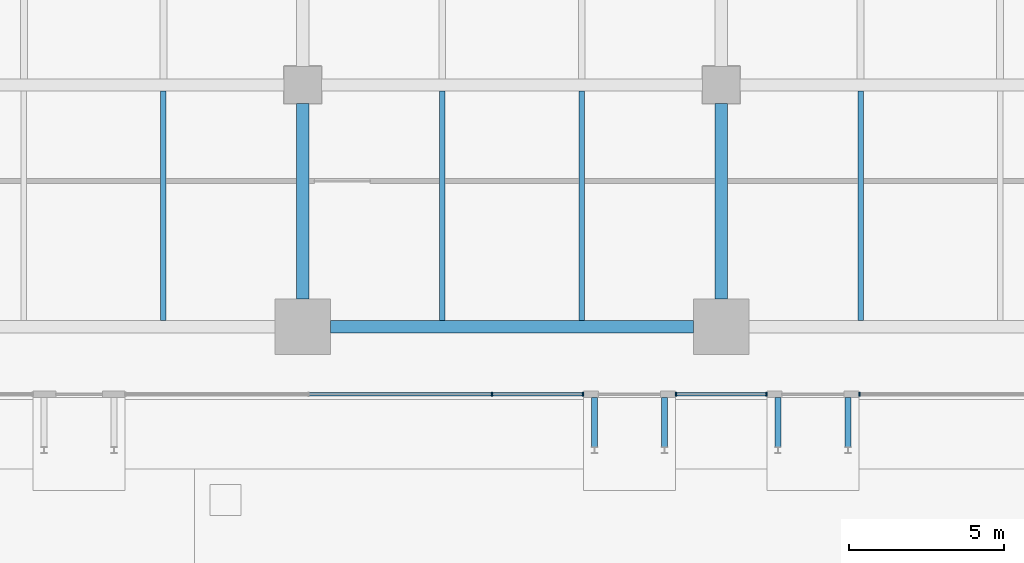
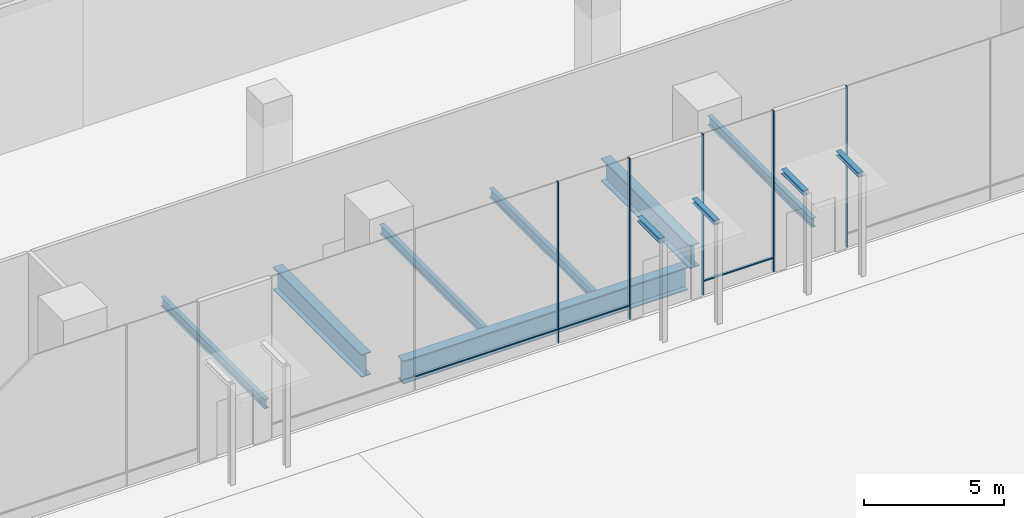
# One storey, part 12 of 41: 11 beams, 8 members, 3 elements without a shape of their own.
"""IFC4 building model written with IfcOpenShell, lengths in metres."""

from ifc_helpers import new_model, si_unit, direction, frame, origin, origin_2d, place, context, subcontext, project, spatial, rectangle, i_section, extrude, material, layer, layer_set, material_profile, profile_set, type_object, element, aggregate, save


model = new_model("IFC4")

# Units and contexts
model_context = context("Model", 3, precision=1e-05, world=origin(), true_north=direction((0.0, 1.0)))
body_context = subcontext(model_context, "Body", "Model", "MODEL_VIEW")
ifc_project = project(units=[si_unit("LENGTHUNIT", "METRE"), si_unit("AREAUNIT", "SQUARE_METRE"), si_unit("VOLUMEUNIT", "CUBIC_METRE"), si_unit("PLANEANGLEUNIT", "RADIAN"), si_unit("MASSUNIT", "GRAM", prefix="KILO")], contexts=[model_context])

# Site, building, storey
site_placement = place(None, origin())
site = spatial("IfcSite", under=ifc_project, at=site_placement, CompositionType="ELEMENT")
building_placement = place(site_placement, origin())
building = spatial("IfcBuilding", under=site, at=building_placement, Name="Rattan Terrace Tower", CompositionType="ELEMENT")
storey_placement = place(building_placement, origin())
storey = spatial("IfcBuildingStorey", under=building, at=storey_placement, Name="L00", CompositionType="ELEMENT", Elevation=0.0)

# Beams
ifc_material_1 = material(Name="Structural steel S355", Category="steel")
ifc_material_profile_1 = material_profile(ifc_material_1, i_section(OverallWidth=0.199951171875, OverallDepth=0.199951171875, WebThickness=0.009033203125, FlangeThickness=0.014892578125, FilletRadius=0.01806640625, at=origin_2d()), Name="HE 200 B")
ifc_profile_set_1 = profile_set([ifc_material_profile_1], Name="Structural steel S355")
beam_type_1 = type_object("IfcBeamType", Name="Canopy beam HE 200 B", PredefinedType="BEAM", material=ifc_profile_set_1)
for number, where, z_axis, x_axis, name in (
    (1, (-4.090087890625, -37.179931640625, 4.300048828125), (0.0, -1.0, 0.0), (1.0, 0.0, 0.0), "Canopy beam 051a"),
    (2, (-1.830078125, -37.179931640625, 4.300048828125), (0.0, -1.0, 0.0), (1.0, 0.0, 0.0), "Canopy beam 051b"),
    (3, (1.830078125, -37.179931640625, 4.300048828125), (0.0, -1.0, 0.0), (1.0, 0.0, 0.0), "Canopy beam 056a"),
    (4, (4.090087890625, -37.179931640625, 4.300048828125), (0.0, -1.0, 0.0), (1.0, 0.0, 0.0), "Canopy beam 056b"),
):
    element("IfcBeam", number, at=place(storey_placement, frame(where, z_axis=z_axis, x_axis=x_axis)), inside=storey, type_object=beam_type_1, Name=name, PredefinedType="BEAM", context=body_context, shape_type="SweptSolid", body=[
        extrude(i_section(OverallWidth=0.199951171875, OverallDepth=0.199951171875, WebThickness=0.009033203125, FlangeThickness=0.014892578125, FilletRadius=0.01806640625, at=origin_2d()), origin(), (0.0, 0.0, 1.0), 1.60009765625),
    ])
ifc_material_2 = material(Name="Steel S355", Category="steel")
ifc_material_profile_2 = material_profile(ifc_material_2, i_section(OverallWidth=0.179931640625, OverallDepth=0.39990234375, WebThickness=0.008544921875, FlangeThickness=0.013427734375, FilletRadius=0.02099609375, at=origin_2d()), Name="IPE 400")
ifc_profile_set_2 = profile_set([ifc_material_profile_2], Name="Steel S355")
beam_type_2 = type_object("IfcBeamType", Name="Frame floor beam IPE 400", PredefinedType="JOIST", material=ifc_profile_set_2)
for number, where, z_axis, x_axis, name in (
    (5, (-18.0, -34.699951171875, -0.39990234375), (0.0, 1.0, 0.0), (-1.0, 0.0, 0.0), "bm-L00-005"),
    (6, (-9.0, -34.699951171875, -0.39990234375), (0.0, 1.0, 0.0), (-1.0, 0.0, 0.0), "bm-L00-006"),
    (7, (-4.5, -34.699951171875, -0.39990234375), (0.0, 1.0, 0.0), (-1.0, 0.0, 0.0), "bm-L00-007"),
    (8, (4.5, -34.699951171875, -0.39990234375), (0.0, 1.0, 0.0), (-1.0, 0.0, 0.0), "bm-L00-008"),
):
    element("IfcBeam", number, at=place(storey_placement, frame(where, z_axis=z_axis, x_axis=x_axis)), inside=storey, type_object=beam_type_2, Name=name, PredefinedType="JOIST", context=body_context, shape_type="SweptSolid", body=[
        extrude(i_section(OverallWidth=0.179931640625, OverallDepth=0.39990234375, WebThickness=0.008544921875, FlangeThickness=0.013427734375, FilletRadius=0.02099609375, at=origin_2d()), origin(), (0.0, 0.0, 1.0), 7.39990234375),
    ])
ifc_material_3 = material(Name="Steel S460", Category="steel")
ifc_material_profile_3 = material_profile(ifc_material_3, i_section(OverallWidth=0.39990234375, OverallDepth=1.0, WebThickness=0.01806640625, FlangeThickness=0.044921875, at=origin_2d()), Name="PG 1000x400-18-45")
ifc_profile_set_3 = profile_set([ifc_material_profile_3], Name="Steel S460")
beam_type_3 = type_object("IfcBeamType", Name="Frame podium girder PG 1000x400-18-45", PredefinedType="USERDEFINED", material=ifc_profile_set_3)
beam_placement = place(storey_placement, frame((-12.60009765625, -34.89990234375, -0.699951171875), z_axis=(1.0, 0.0, 0.0), x_axis=(0.0, 1.0, 0.0)))
element("IfcBeam", 9, at=beam_placement, inside=storey, type_object=beam_type_3, Name="gdr-L00-003", ObjectType="PODIUM GIRDER", PredefinedType="USERDEFINED", context=body_context, shape_type="SweptSolid", body=[
    extrude(i_section(OverallWidth=0.39990234375, OverallDepth=1.0, WebThickness=0.01806640625, FlangeThickness=0.044921875, at=origin_2d()), origin(), (0.0, 0.0, 1.0), 11.7001953125),
])
for number, where, z_axis, x_axis, name in (
    (10, (-13.5, -34.0, -0.699951171875), (0.0, 1.0, 0.0), (-1.0, 0.0, 0.0), "gdr-L00-009"),
    (11, (0.0, -34.0, -0.699951171875), (0.0, 1.0, 0.0), (-1.0, 0.0, 0.0), "gdr-L00-010"),
):
    element("IfcBeam", number, at=place(storey_placement, frame(where, z_axis=z_axis, x_axis=x_axis)), inside=storey, type_object=beam_type_3, Name=name, ObjectType="PODIUM GIRDER", PredefinedType="USERDEFINED", context=body_context, shape_type="SweptSolid", body=[
        extrude(i_section(OverallWidth=0.39990234375, OverallDepth=1.0, WebThickness=0.01806640625, FlangeThickness=0.044921875, at=origin_2d()), origin(), (0.0, 0.0, 1.0), 6.300048828125),
    ])

# Curtain wall, members
ifc_material_4 = material(Name="Aluminium and glass", Category="aluminium")
ifc_layer = layer(ifc_material_4, 0.1201171875)
ifc_layer_set = layer_set([ifc_layer], Name="Station Storefront Curtain Wall")
curtain_wall_type = type_object("IfcCurtainWallType", Name="Station Storefront Curtain Wall", PredefinedType="NOTDEFINED", material=ifc_layer_set)
curtain_wall_1_placement = place(storey_placement, origin())
curtain_wall_1 = element("IfcCurtainWall", 12, at=curtain_wall_1_placement, inside=storey, type_object=curtain_wall_type, Name="Storefront curtain wall L00-11", PredefinedType="NOTDEFINED")
ifc_material_5 = material(Name="Aluminium", Category="aluminium")
ifc_material_profile_4 = material_profile(ifc_material_5, rectangle(XDim=0.050048828125, YDim=0.1201171875, at=origin_2d()), Name="Aluminium 50x120")
ifc_profile_set_4 = profile_set([ifc_material_profile_4], Name="Aluminium")
member_type_1 = type_object("IfcMemberType", Name="Storefront CW Mullion 50x120", PredefinedType="MULLION", material=ifc_profile_set_4)
member_1_placement = place(storey_placement, frame((-7.39990234375, -37.080078125, 0.0), z_axis=(0.0, 0.0, 1.0), x_axis=(1.0, 0.0, 0.0)))
member_1 = element("IfcMember", 13, at=member_1_placement, type_object=member_type_1, Name="Mullion cwl-L00-011.3", PredefinedType="MULLION", context=body_context, shape_type="SweptSolid", body=[
    extrude(rectangle(XDim=0.050048828125, YDim=0.1201171875, at=origin_2d()), origin(), (0.0, 0.0, 1.0), 7.0),
])
member_2_placement = place(storey_placement, frame((-4.465087890625, -37.080078125, 0.0), z_axis=(0.0, 0.0, 1.0), x_axis=(1.0, 0.0, 0.0)))
member_2 = element("IfcMember", 14, at=member_2_placement, type_object=member_type_1, Name="Mullion cwl-L00-011.4", PredefinedType="MULLION", context=body_context, shape_type="SweptSolid", body=[
    extrude(rectangle(XDim=0.050048828125, YDim=0.1201171875, at=origin_2d()), origin(), (0.0, 0.0, 1.0), 7.0),
])

curtain_wall_2_placement = place(storey_placement, origin())
curtain_wall_2 = element("IfcCurtainWall", 15, at=curtain_wall_2_placement, inside=storey, type_object=curtain_wall_type, Name="Storefront curtain wall L00-12", PredefinedType="NOTDEFINED")
member_3_placement = place(storey_placement, frame((-1.455078125, -37.080078125, 0.0), z_axis=(0.0, 0.0, 1.0), x_axis=(1.0, 0.0, 0.0)))
member_3 = element("IfcMember", 16, at=member_3_placement, type_object=member_type_1, Name="Mullion cwl-L00-012.1", PredefinedType="MULLION", context=body_context, shape_type="SweptSolid", body=[
    extrude(rectangle(XDim=0.050048828125, YDim=0.1201171875, at=origin_2d()), origin(), (0.0, 0.0, 1.0), 7.0),
])
member_4_placement = place(storey_placement, frame((1.455078125, -37.080078125, 0.0), z_axis=(0.0, 0.0, 1.0), x_axis=(1.0, 0.0, 0.0)))
member_4 = element("IfcMember", 17, at=member_4_placement, type_object=member_type_1, Name="Mullion cwl-L00-012.2", PredefinedType="MULLION", context=body_context, shape_type="SweptSolid", body=[
    extrude(rectangle(XDim=0.050048828125, YDim=0.1201171875, at=origin_2d()), origin(), (0.0, 0.0, 1.0), 7.0),
])

# Curtain wall, member
curtain_wall_3_placement = place(storey_placement, origin())
curtain_wall_3 = element("IfcCurtainWall", 18, at=curtain_wall_3_placement, inside=storey, type_object=curtain_wall_type, Name="Storefront curtain wall L00-13", PredefinedType="NOTDEFINED")
member_5_placement = place(storey_placement, frame((4.465087890625, -37.080078125, 0.0), z_axis=(0.0, 0.0, 1.0), x_axis=(1.0, 0.0, 0.0)))
member_5 = element("IfcMember", 19, at=member_5_placement, type_object=member_type_1, Name="Mullion cwl-L00-013.1", PredefinedType="MULLION", context=body_context, shape_type="SweptSolid", body=[
    extrude(rectangle(XDim=0.050048828125, YDim=0.1201171875, at=origin_2d()), origin(), (0.0, 0.0, 1.0), 7.0),
])
aggregate(curtain_wall_3, [member_5])

# Member
ifc_material_6 = material(Name="Aluminium", Category="aluminium")
ifc_material_profile_5 = material_profile(ifc_material_6, rectangle(XDim=0.10009765625, YDim=0.050048828125, at=origin_2d()), Name="Aluminium 100x50")
ifc_profile_set_5 = profile_set([ifc_material_profile_5], Name="Aluminium")
member_type_2 = type_object("IfcMemberType", Name="Storefront CW Transom 100x50", PredefinedType="USERDEFINED", material=ifc_profile_set_5)
member_6_placement = place(storey_placement, frame((-13.294921875, -37.080078125, 0.60009765625), z_axis=(1.0, 0.0, 0.0), x_axis=(0.0, 1.0, 0.0)))
member_6 = element("IfcMember", 20, at=member_6_placement, type_object=member_type_2, Name="Transom cwl-L00-011.2", ObjectType="TRANSOM", PredefinedType="USERDEFINED", context=body_context, shape_type="SweptSolid", body=[
    extrude(rectangle(XDim=0.10009765625, YDim=0.050048828125, at=origin_2d()), origin(), (0.0, 0.0, 1.0), 5.869873046875),
])

member_7_placement = place(storey_placement, frame((-7.375, -37.080078125, 0.60009765625), z_axis=(1.0, 0.0, 0.0), x_axis=(0.0, 1.0, 0.0)))
member_7 = element("IfcMember", 21, at=member_7_placement, type_object=member_type_2, Name="Transom cwl-L00-011.3", ObjectType="TRANSOM", PredefinedType="USERDEFINED", context=body_context, shape_type="SweptSolid", body=[
    extrude(rectangle(XDim=0.10009765625, YDim=0.050048828125, at=origin_2d()), origin(), (0.0, 0.0, 1.0), 2.885009765625),
])

aggregate(curtain_wall_1, [member_1, member_2, member_6, member_7])

member_8_placement = place(storey_placement, frame((-1.429931640625, -37.080078125, 0.60009765625), z_axis=(1.0, 0.0, 0.0), x_axis=(0.0, 1.0, 0.0)))
member_8 = element("IfcMember", 22, at=member_8_placement, type_object=member_type_2, Name="Transom cwl-L00-012.1", ObjectType="TRANSOM", PredefinedType="USERDEFINED", context=body_context, shape_type="SweptSolid", body=[
    extrude(rectangle(XDim=0.10009765625, YDim=0.050048828125, at=origin_2d()), origin(), (0.0, 0.0, 1.0), 2.85986328125),
])

aggregate(curtain_wall_2, [member_3, member_4, member_8])

save(model, "model.ifc")
